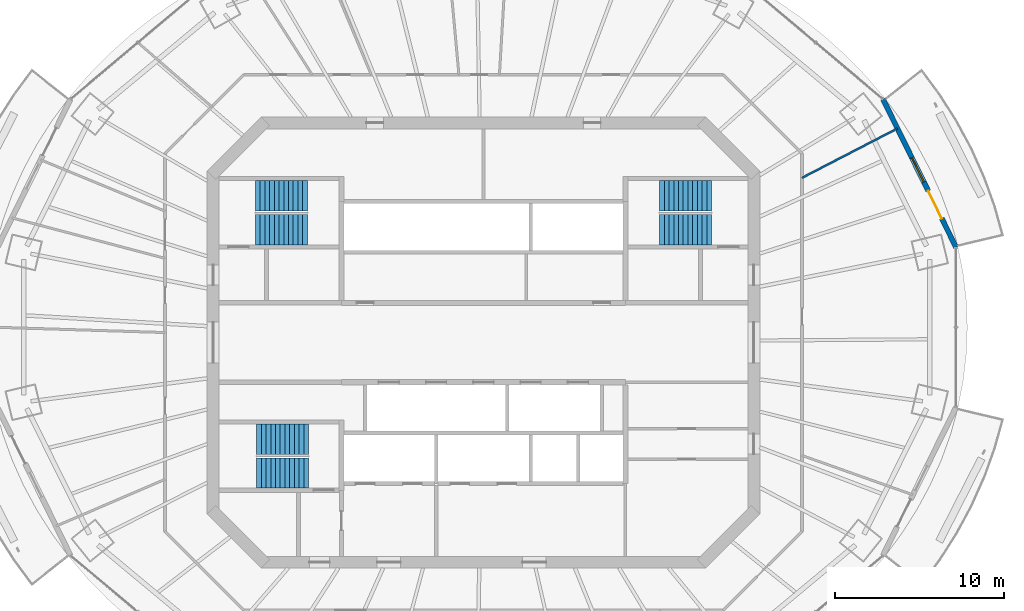
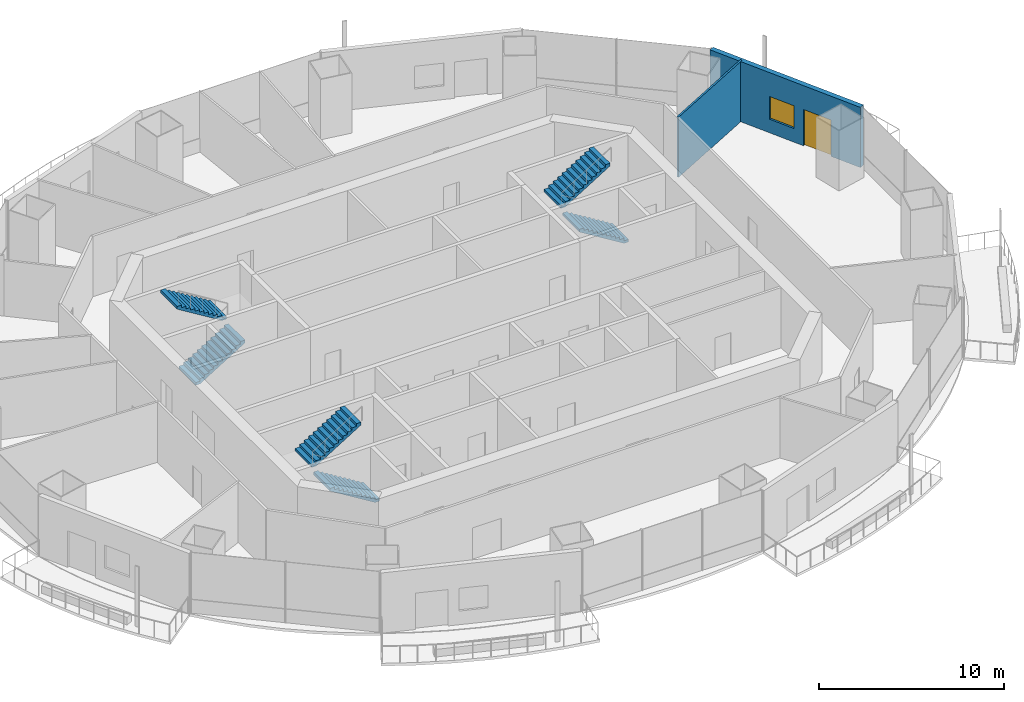
# One storey, part 11 of 16: 6 stair flights, 2 walls, 1 door, 1 window, 2 openings, 3 elements without a shape of their own.
"""IFC4 building model written with IfcOpenShell, lengths in metres."""

from ifc_helpers import new_model, si_unit, direction, frame, frame_2d, origin, place, context, subcontext, project, spatial, polyline, rectangle, outline, extrude, material, layer, layer_set, type_object, element, fill, aggregate, save


model = new_model("IFC4")

# Units and contexts
model_context = context("Model", 3, precision=1e-05, world=origin(), true_north=direction((0.0, 1.0)))
body_context = subcontext(model_context, "Body", "Model", "MODEL_VIEW")
ifc_project = project(units=[si_unit("LENGTHUNIT", "METRE"), si_unit("AREAUNIT", "SQUARE_METRE"), si_unit("VOLUMEUNIT", "CUBIC_METRE"), si_unit("PLANEANGLEUNIT", "RADIAN"), si_unit("MASSUNIT", "GRAM", prefix="KILO")], contexts=[model_context])

# Site, building, storey
site_placement = place(None, origin())
site = spatial("IfcSite", under=ifc_project, at=site_placement, CompositionType="ELEMENT")
building_placement = place(site_placement, origin())
building = spatial("IfcBuilding", under=site, at=building_placement, Name="Marenthal Gate Tower", CompositionType="ELEMENT")
storey_placement = place(building_placement, frame((0.0, 0.0, 284.5)))
storey = spatial("IfcBuildingStorey", under=building, at=storey_placement, Name="L63", CompositionType="ELEMENT", Elevation=284.5)

# Wall
ifc_material_1 = material(Name="Gypsum board on steel studs", Category="steel")
ifc_layer_1 = layer(ifc_material_1, 0.1201171875)
ifc_layer_set_1 = layer_set([ifc_layer_1], Name="Partition 120")
wall_type_1 = type_object("IfcWallType", Name="Partition 120", PredefinedType="PARTITIONING", material=ifc_layer_set_1)
wall_1_placement = place(storey_placement, frame((18.85009765625, 9.74658203125, 0.0), z_axis=(0.0, 0.0, 1.0), x_axis=(0.888271654615, 0.459318481675, 0.0)))
element("IfcWall", 1, at=wall_1_placement, inside=storey, type_object=wall_type_1, Name="Partition wall 67", PredefinedType="PARTITIONING", context=body_context, shape_type="SweptSolid", body=[
    extrude(rectangle(XDim=6.359619140625, YDim=0.1201171875, at=frame_2d((3.1796875, 0.0))), origin(), (0.0, 0.0, 1.0), 3.969970703125),
])

# Wall, openings, door, window
ifc_material_2 = material(Name="Terracotta cladding on insulated concrete-block backing", Category="masonry")
ifc_layer_2 = layer(ifc_material_2, 0.300048828125)
ifc_layer_set_2 = layer_set([ifc_layer_2], Name="Terracotta facade wall 300")
wall_type_2 = type_object("IfcWallType", Name="Terracotta facade wall 300", PredefinedType="SOLIDWALL", material=ifc_layer_set_2)
wall_2_placement = place(storey_placement, frame((27.96240234375, 5.641357421875, 0.0), z_axis=(0.0, 0.0, 1.0), x_axis=(-0.442107110685, 0.8969622638, 0.0)))
wall_2 = element("IfcWall", 2, at=wall_2_placement, inside=storey, type_object=wall_type_2, Name="Terracotta facade wall L63 bay 1", PredefinedType="SOLIDWALL", context=body_context, shape_type="SweptSolid", body=[
    extrude(rectangle(XDim=9.76708984375, YDim=0.300048828125, at=frame_2d((4.883544921875, 0.0))), origin(), (0.0, 0.0, 1.0), 3.969970703125),
])
opening_1_placement = place(wall_2_placement, frame((1.89990234375, 0.0, 0.0)))
opening_1 = element("IfcOpeningElement", 3, at=opening_1_placement, cuts=wall_2, Name="Opening BD-L63-01", PredefinedType="OPENING", context=body_context, shape_type="SweptSolid", body=[
    extrude(rectangle(XDim=1.800048828125, YDim=2.39990234375, at=frame_2d((0.89990234375, 1.199951171875))), frame((0.0, 0.16015625, 0.0), z_axis=(0.0, -1.0, 0.0), x_axis=(1.0, 0.0, 0.0)), (0.0, 0.0, 1.0), 0.320068359375),
])
opening_2_placement = place(wall_2_placement, frame((4.300048828125, 0.0, 0.89990234375)))
opening_2 = element("IfcOpeningElement", 4, at=opening_2_placement, cuts=wall_2, Name="Opening WN3-L63-01", PredefinedType="OPENING", context=body_context, shape_type="SweptSolid", body=[
    extrude(rectangle(XDim=1.60009765625, YDim=1.5, at=frame_2d((0.800048828125, 0.75))), frame((0.0, 0.16015625, 0.0), z_axis=(0.0, -1.0, 0.0), x_axis=(1.0, 0.0, 0.0)), (0.0, 0.0, 1.0), 0.320068359375),
])
ifc_material_3 = material(Name="Aluminium and glass", Category="aluminium")
door_type = type_object("IfcDoorType", Name="Balcony door 1800x2400", OperationType="DOUBLE_DOOR_SINGLE_SWING", PredefinedType="DOOR", material=ifc_material_3)
door_placement = place(opening_1_placement, origin())
door = element("IfcDoor", 5, at=door_placement, inside=storey, type_object=door_type, Name="Balcony door L63 bay 1", OperationType="SINGLE_SWING_LEFT", OverallHeight=2.39990234375, OverallWidth=1.800048828125, PredefinedType="DOOR", context=body_context, shape_type="SweptSolid", body=[
    extrude(rectangle(XDim=1.800048828125, YDim=2.39990234375, at=frame_2d((0.89990234375, 1.199951171875))), frame((0.0, 0.02490234375, 0.0), z_axis=(0.0, -1.0, 0.0), x_axis=(1.0, 0.0, 0.0)), (0.0, 0.0, 1.0), 0.050048828125),
])
fill(opening_1, door)
ifc_material_4 = material(Name="Aluminium and glass", Category="aluminium")
window_type = type_object("IfcWindowType", Name="Window 1600x1500", PartitioningType="DOUBLE_PANEL_VERTICAL", PredefinedType="WINDOW", material=ifc_material_4)
window_placement = place(opening_2_placement, origin())
window = element("IfcWindow", 6, at=window_placement, inside=storey, type_object=window_type, Name="Window L63 bay 1", OverallHeight=1.5, OverallWidth=1.60009765625, PartitioningType="SINGLE_PANEL", PredefinedType="WINDOW", context=body_context, shape_type="SweptSolid", body=[
    extrude(rectangle(XDim=1.60009765625, YDim=1.5, at=frame_2d((0.800048828125, 0.75))), frame((0.0, 0.030029296875, 0.0), z_axis=(0.0, -1.0, 0.0), x_axis=(1.0, 0.0, 0.0)), (0.0, 0.0, 1.0), 0.06005859375),
])
fill(opening_2, window)

# Stair, stair flights
ifc_material_5 = material(Name="Concrete 40 MPa", Category="concrete")
stair_type = type_object("IfcStairType", Name="Exit stair 1800", PredefinedType="HALF_TURN_STAIR", material=ifc_material_5)
stair_1_placement = place(storey_placement, origin())
stair_1 = element("IfcStair", 7, at=stair_1_placement, inside=storey, type_object=stair_type, Name="Stair ST1", PredefinedType="HALF_TURN_STAIR")
ifc_material_6 = material(Name="Concrete 40 MPa", Category="concrete")
stair_flight_type = type_object("IfcStairFlightType", Name="Stair flight 1800", PredefinedType="STRAIGHT", material=ifc_material_6)
stair_flight_1_placement = place(storey_placement, frame((-13.5, 6.675048828125, 0.0), z_axis=(0.0, 0.0, 1.0), x_axis=(1.0, 0.0, 0.0)))
stair_flight_1 = element("IfcStairFlight", 8, at=stair_flight_1_placement, type_object=stair_flight_type, Name="ST1 flight 1", NumberOfRisers=12, NumberOfTreads=11, PredefinedType="STRAIGHT", RiserHeight=0.172916667, TreadLength=0.28, context=body_context, shape_type="SweptSolid", body=[
    extrude(outline(polyline([(0.0, 0.0), (0.0, 0.1728515625), (0.280029296875, 0.1728515625), (0.280029296875, 0.345947265625), (0.56005859375, 0.345947265625), (0.56005859375, 0.518798828125), (0.840087890625, 0.518798828125), (0.840087890625, 0.691650390625), (1.1201171875, 0.691650390625), (1.1201171875, 0.864501953125), (1.39990234375, 0.864501953125), (1.39990234375, 1.03759765625), (1.679931640625, 1.03759765625), (1.679931640625, 1.21044921875), (1.9599609375, 1.21044921875), (1.9599609375, 1.38330078125), (2.239990234375, 1.38330078125), (2.239990234375, 1.55615234375), (2.52001953125, 1.55615234375), (2.52001953125, 1.729248046875), (2.800048828125, 1.729248046875), (2.800048828125, 1.902099609375), (3.080078125, 1.902099609375), (3.080078125, 2.074951171875), (3.080078125, 1.725830078125), (0.285400390625, 0.0), (0.0, 0.0)])), frame((0.0, 0.89990234375, 0.0), z_axis=(0.0, -1.0, 0.0), x_axis=(1.0, 0.0, 0.0)), (0.0, 0.0, 1.0), 1.800048828125),
])
stair_flight_2_placement = place(storey_placement, frame((-10.419921875, 8.675048828125, 2.074951171875), z_axis=(0.0, 0.0, 1.0), x_axis=(-1.0, 0.0, 0.0)))
stair_flight_2 = element("IfcStairFlight", 9, at=stair_flight_2_placement, type_object=stair_flight_type, Name="ST1 flight 2", NumberOfRisers=12, NumberOfTreads=11, PredefinedType="STRAIGHT", RiserHeight=0.172916667, TreadLength=0.28, context=body_context, shape_type="SweptSolid", body=[
    extrude(outline(polyline([(0.0, 0.0), (0.0, 0.1728515625), (0.280029296875, 0.1728515625), (0.280029296875, 0.345947265625), (0.56005859375, 0.345947265625), (0.56005859375, 0.518798828125), (0.840087890625, 0.518798828125), (0.840087890625, 0.691650390625), (1.1201171875, 0.691650390625), (1.1201171875, 0.864501953125), (1.39990234375, 0.864501953125), (1.39990234375, 1.03759765625), (1.679931640625, 1.03759765625), (1.679931640625, 1.21044921875), (1.9599609375, 1.21044921875), (1.9599609375, 1.38330078125), (2.239990234375, 1.38330078125), (2.239990234375, 1.55615234375), (2.52001953125, 1.55615234375), (2.52001953125, 1.729248046875), (2.800048828125, 1.729248046875), (2.800048828125, 1.902099609375), (3.080078125, 1.902099609375), (3.080078125, 2.074951171875), (3.080078125, 1.725830078125), (0.285400390625, 0.0), (0.0, 0.0)])), frame((0.0, 0.89990234375, 0.0), z_axis=(0.0, -1.0, 0.0), x_axis=(1.0, 0.0, 0.0)), (0.0, 0.0, 1.0), 1.800048828125),
])
aggregate(stair_1, [stair_flight_1, stair_flight_2])

stair_2_placement = place(storey_placement, origin())
stair_2 = element("IfcStair", 10, at=stair_2_placement, inside=storey, type_object=stair_type, Name="Stair ST2", PredefinedType="HALF_TURN_STAIR")
stair_flight_3_placement = place(storey_placement, frame((-10.35009765625, -7.72509765625, 0.0), z_axis=(0.0, 0.0, 1.0), x_axis=(-1.0, 0.0, 0.0)))
stair_flight_3 = element("IfcStairFlight", 11, at=stair_flight_3_placement, type_object=stair_flight_type, Name="ST2 flight 1", NumberOfRisers=12, NumberOfTreads=11, PredefinedType="STRAIGHT", RiserHeight=0.172916667, TreadLength=0.28, context=body_context, shape_type="SweptSolid", body=[
    extrude(outline(polyline([(0.0, 0.0), (0.0, 0.1728515625), (0.280029296875, 0.1728515625), (0.280029296875, 0.345947265625), (0.56005859375, 0.345947265625), (0.56005859375, 0.518798828125), (0.840087890625, 0.518798828125), (0.840087890625, 0.691650390625), (1.1201171875, 0.691650390625), (1.1201171875, 0.864501953125), (1.39990234375, 0.864501953125), (1.39990234375, 1.03759765625), (1.679931640625, 1.03759765625), (1.679931640625, 1.21044921875), (1.9599609375, 1.21044921875), (1.9599609375, 1.38330078125), (2.239990234375, 1.38330078125), (2.239990234375, 1.55615234375), (2.52001953125, 1.55615234375), (2.52001953125, 1.729248046875), (2.800048828125, 1.729248046875), (2.800048828125, 1.902099609375), (3.080078125, 1.902099609375), (3.080078125, 2.074951171875), (3.080078125, 1.725830078125), (0.285400390625, 0.0), (0.0, 0.0)])), frame((0.0, 0.89990234375, 0.0), z_axis=(0.0, -1.0, 0.0), x_axis=(1.0, 0.0, 0.0)), (0.0, 0.0, 1.0), 1.800048828125),
])
stair_flight_4_placement = place(storey_placement, frame((-13.429931640625, -5.72509765625, 2.074951171875), z_axis=(0.0, 0.0, 1.0), x_axis=(1.0, 0.0, 0.0)))
stair_flight_4 = element("IfcStairFlight", 12, at=stair_flight_4_placement, type_object=stair_flight_type, Name="ST2 flight 2", NumberOfRisers=12, NumberOfTreads=11, PredefinedType="STRAIGHT", RiserHeight=0.172916667, TreadLength=0.28, context=body_context, shape_type="SweptSolid", body=[
    extrude(outline(polyline([(0.0, 0.0), (0.0, 0.1728515625), (0.280029296875, 0.1728515625), (0.280029296875, 0.345947265625), (0.56005859375, 0.345947265625), (0.56005859375, 0.518798828125), (0.840087890625, 0.518798828125), (0.840087890625, 0.691650390625), (1.1201171875, 0.691650390625), (1.1201171875, 0.864501953125), (1.39990234375, 0.864501953125), (1.39990234375, 1.03759765625), (1.679931640625, 1.03759765625), (1.679931640625, 1.21044921875), (1.9599609375, 1.21044921875), (1.9599609375, 1.38330078125), (2.239990234375, 1.38330078125), (2.239990234375, 1.55615234375), (2.52001953125, 1.55615234375), (2.52001953125, 1.729248046875), (2.800048828125, 1.729248046875), (2.800048828125, 1.902099609375), (3.080078125, 1.902099609375), (3.080078125, 2.074951171875), (3.080078125, 1.725830078125), (0.285400390625, 0.0), (0.0, 0.0)])), frame((0.0, 0.89990234375, 0.0), z_axis=(0.0, -1.0, 0.0), x_axis=(1.0, 0.0, 0.0)), (0.0, 0.0, 1.0), 1.800048828125),
])
aggregate(stair_2, [stair_flight_3, stair_flight_4])

stair_3_placement = place(storey_placement, origin())
stair_3 = element("IfcStair", 13, at=stair_3_placement, inside=storey, type_object=stair_type, Name="Stair ST3", PredefinedType="HALF_TURN_STAIR")
stair_flight_5_placement = place(storey_placement, frame((13.5, 6.675048828125, 0.0), z_axis=(0.0, 0.0, 1.0), x_axis=(-1.0, 0.0, 0.0)))
stair_flight_5 = element("IfcStairFlight", 14, at=stair_flight_5_placement, type_object=stair_flight_type, Name="ST3 flight 1", NumberOfRisers=12, NumberOfTreads=11, PredefinedType="STRAIGHT", RiserHeight=0.172916667, TreadLength=0.28, context=body_context, shape_type="SweptSolid", body=[
    extrude(outline(polyline([(0.0, 0.0), (0.0, 0.1728515625), (0.280029296875, 0.1728515625), (0.280029296875, 0.345947265625), (0.56005859375, 0.345947265625), (0.56005859375, 0.518798828125), (0.840087890625, 0.518798828125), (0.840087890625, 0.691650390625), (1.1201171875, 0.691650390625), (1.1201171875, 0.864501953125), (1.39990234375, 0.864501953125), (1.39990234375, 1.03759765625), (1.679931640625, 1.03759765625), (1.679931640625, 1.21044921875), (1.9599609375, 1.21044921875), (1.9599609375, 1.38330078125), (2.239990234375, 1.38330078125), (2.239990234375, 1.55615234375), (2.52001953125, 1.55615234375), (2.52001953125, 1.729248046875), (2.800048828125, 1.729248046875), (2.800048828125, 1.902099609375), (3.080078125, 1.902099609375), (3.080078125, 2.074951171875), (3.080078125, 1.725830078125), (0.285400390625, 0.0), (0.0, 0.0)])), frame((0.0, 0.89990234375, 0.0), z_axis=(0.0, -1.0, 0.0), x_axis=(1.0, 0.0, 0.0)), (0.0, 0.0, 1.0), 1.800048828125),
])
stair_flight_6_placement = place(storey_placement, frame((10.419921875, 8.675048828125, 2.074951171875), z_axis=(0.0, 0.0, 1.0), x_axis=(1.0, 0.0, 0.0)))
stair_flight_6 = element("IfcStairFlight", 15, at=stair_flight_6_placement, type_object=stair_flight_type, Name="ST3 flight 2", NumberOfRisers=12, NumberOfTreads=11, PredefinedType="STRAIGHT", RiserHeight=0.172916667, TreadLength=0.28, context=body_context, shape_type="SweptSolid", body=[
    extrude(outline(polyline([(0.0, 0.0), (0.0, 0.1728515625), (0.280029296875, 0.1728515625), (0.280029296875, 0.345947265625), (0.56005859375, 0.345947265625), (0.56005859375, 0.518798828125), (0.840087890625, 0.518798828125), (0.840087890625, 0.691650390625), (1.1201171875, 0.691650390625), (1.1201171875, 0.864501953125), (1.39990234375, 0.864501953125), (1.39990234375, 1.03759765625), (1.679931640625, 1.03759765625), (1.679931640625, 1.21044921875), (1.9599609375, 1.21044921875), (1.9599609375, 1.38330078125), (2.239990234375, 1.38330078125), (2.239990234375, 1.55615234375), (2.52001953125, 1.55615234375), (2.52001953125, 1.729248046875), (2.800048828125, 1.729248046875), (2.800048828125, 1.902099609375), (3.080078125, 1.902099609375), (3.080078125, 2.074951171875), (3.080078125, 1.725830078125), (0.285400390625, 0.0), (0.0, 0.0)])), frame((0.0, 0.89990234375, 0.0), z_axis=(0.0, -1.0, 0.0), x_axis=(1.0, 0.0, 0.0)), (0.0, 0.0, 1.0), 1.800048828125),
])
aggregate(stair_3, [stair_flight_5, stair_flight_6])

save(model, "model.ifc")
